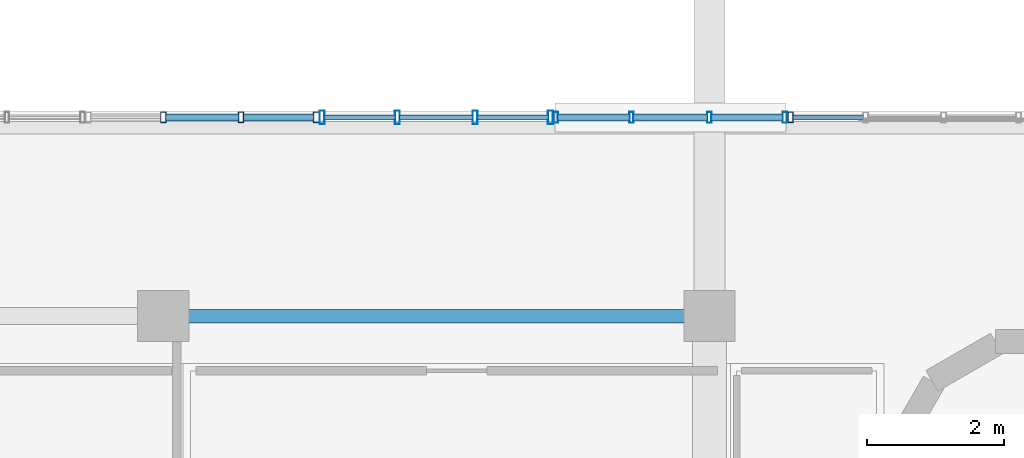
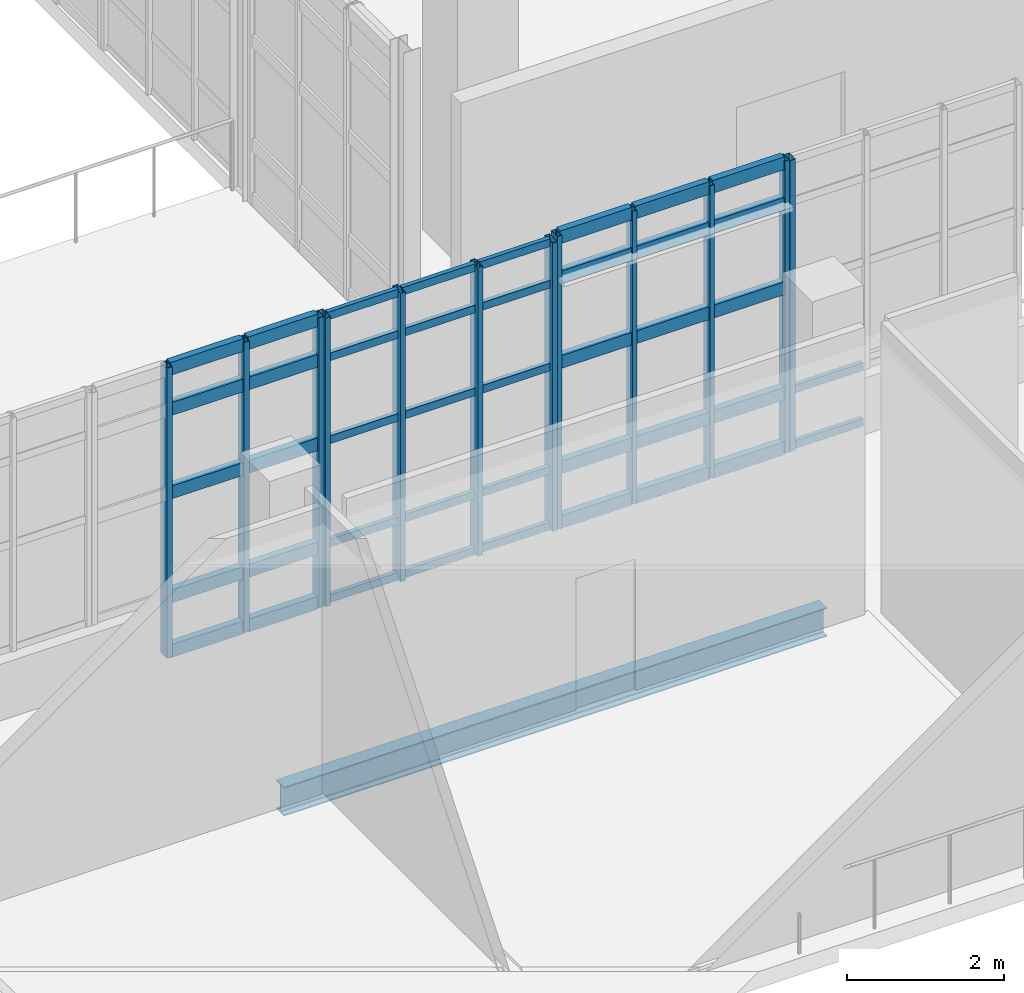
# One storey, part 25 of 100: 54 members, 1 beam, 4 elements without a shape of their own.
"""IFC4 building model written with IfcOpenShell, lengths in metres."""

from ifc_helpers import new_model, si_unit, derived_unit, direction, frame, origin, origin_2d, place, context, subcontext, project, spatial, hollow_rectangle, i_section, extrude, material, layer, layer_set, material_profile, profile_set, type_object, element, aggregate, save


model = new_model("IFC4")

# Units and contexts
model_context = context("Model", 3, precision=1e-05, world=origin(), true_north=direction((0.0, 1.0)))
body_context = subcontext(model_context, "Body", "Model", "MODEL_VIEW")
ifc_project = project(units=[si_unit("LENGTHUNIT", "METRE"), si_unit("AREAUNIT", "SQUARE_METRE"), si_unit("VOLUMEUNIT", "CUBIC_METRE"), si_unit("PLANEANGLEUNIT", "RADIAN"), si_unit("MASSUNIT", "GRAM", prefix="KILO"), derived_unit("THERMALTRANSMITTANCEUNIT", [(si_unit("POWERUNIT", "WATT"), 1), (si_unit("LENGTHUNIT", "METRE"), -2), (si_unit("THERMODYNAMICTEMPERATUREUNIT", "KELVIN"), -1)])], contexts=[model_context])

# Site, building, storey
site_placement = place(None, origin())
site = spatial("IfcSite", under=ifc_project, at=site_placement, CompositionType="ELEMENT")
building_placement = place(site_placement, origin())
building = spatial("IfcBuilding", under=site, at=building_placement, Name="Nallur Shell Playhouse", CompositionType="ELEMENT")
storey_placement = place(building_placement, frame((0.0, 0.0, 10.199951171875)))
storey = spatial("IfcBuildingStorey", under=building, at=storey_placement, Name="L03", CompositionType="ELEMENT", Elevation=10.199951171875)

# Beam
ifc_material_1 = material(Name="Steel E350", Category="steel")
ifc_material_profile_1 = material_profile(ifc_material_1, i_section(OverallWidth=0.199951171875, OverallDepth=0.449951171875, WebThickness=0.00927734375, FlangeThickness=0.015380859375, FilletRadius=0.013916015625, at=origin_2d()), Name="ISWB 450")
ifc_profile_set_1 = profile_set([ifc_material_profile_1], Name="Steel E350")
beam_type = type_object("IfcBeamType", Name="BM-ST-ISWB450", PredefinedType="BEAM", material=ifc_profile_set_1)
beam_placement = place(storey_placement, frame((48.0, 41.0, -0.48486328125), z_axis=(1.0, 0.0, 0.0), x_axis=(0.0, 1.0, 0.0)))
element("IfcBeam", 1, at=beam_placement, inside=storey, type_object=beam_type, Name="L03 girder X-E-596", PredefinedType="BEAM", context=body_context, shape_type="SweptSolid", body=[
    extrude(i_section(OverallWidth=0.199951171875, OverallDepth=0.449951171875, WebThickness=0.00927734375, FlangeThickness=0.015380859375, FilletRadius=0.013916015625, at=origin_2d()), origin(), (0.0, 0.0, 1.0), 8.0),
])

# Curtain wall, members
ifc_material_2 = material(Name="Anodised Aluminium Double-Glazed Facade System", Category="aluminium")
ifc_layer_1 = layer(ifc_material_2, 0.159912109375)
ifc_layer_set_1 = layer_set([ifc_layer_1], Name="Anodised Aluminium Double-Glazed Facade System")
curtain_wall_type_1 = type_object("IfcCurtainWallType", Name="CW-UNIT-30", PredefinedType="NOTDEFINED", material=ifc_layer_set_1)
curtain_wall_1_placement = place(storey_placement, origin())
curtain_wall_1 = element("IfcCurtainWall", 2, at=curtain_wall_1_placement, inside=storey, type_object=curtain_wall_type_1, Name="Unitised curtain wall CW-062 (L03)", PredefinedType="NOTDEFINED")
ifc_material_3 = material(Name="Aluminium Alloy 6063-T6 Mullion", Category="aluminium")
ifc_material_profile_2 = material_profile(ifc_material_3, hollow_rectangle(XDim=0.080078125, YDim=0.159912109375, WallThickness=0.006103515625, at=origin_2d()), Name="RHS 160x80x6")
ifc_profile_set_2 = profile_set([ifc_material_profile_2], Name="Aluminium Alloy 6063-T6 Mullion")
member_type_1 = type_object("IfcMemberType", Name="MB-CW-MUL150", PredefinedType="MULLION", material=ifc_profile_set_2)
member_1_placement = place(storey_placement, frame((48.001708984375, 43.909912109375, -0.014892578125), z_axis=(0.0, 0.0, 1.0), x_axis=(1.0, 0.0, 0.0)))
member_1 = element("IfcMember", 3, at=member_1_placement, type_object=member_type_1, Name="CW-30 mullion 2", PredefinedType="MULLION", context=body_context, shape_type="SweptSolid", body=[
    extrude(hollow_rectangle(XDim=0.080078125, YDim=0.159912109375, WallThickness=0.006103515625, at=origin_2d()), origin(), (0.0, 0.0, 1.0), 4.51904296875),
])
member_2_placement = place(storey_placement, frame((49.14111328125, 43.909912109375, -0.014892578125), z_axis=(0.0, 0.0, 1.0), x_axis=(1.0, 0.0, 0.0)))
member_2 = element("IfcMember", 4, at=member_2_placement, type_object=member_type_1, Name="CW-30 mullion 3", PredefinedType="MULLION", context=body_context, shape_type="SweptSolid", body=[
    extrude(hollow_rectangle(XDim=0.080078125, YDim=0.159912109375, WallThickness=0.006103515625, at=origin_2d()), origin(), (0.0, 0.0, 1.0), 4.51904296875),
])
member_3_placement = place(storey_placement, frame((50.24072265625, 43.909912109375, -0.014892578125), z_axis=(0.0, 0.0, 1.0), x_axis=(1.0, 0.0, 0.0)))
member_3 = element("IfcMember", 5, at=member_3_placement, type_object=member_type_1, Name="CW-30 mullion 4", PredefinedType="MULLION", context=body_context, shape_type="SweptSolid", body=[
    extrude(hollow_rectangle(XDim=0.080078125, YDim=0.159912109375, WallThickness=0.006103515625, at=origin_2d()), origin(), (0.0, 0.0, 1.0), 4.51904296875),
])

# Curtain wall, member
ifc_layer_2 = layer(ifc_material_2, 0.1640625)
ifc_layer_set_2 = layer_set([ifc_layer_2], Name="Anodised Aluminium Double-Glazed Facade System")
curtain_wall_type_2 = type_object("IfcCurtainWallType", Name="CW-UNIT-01", PredefinedType="NOTDEFINED", material=ifc_layer_set_2)
curtain_wall_2_placement = place(storey_placement, origin())
curtain_wall_2 = element("IfcCurtainWall", 6, at=curtain_wall_2_placement, inside=storey, type_object=curtain_wall_type_2, Name="Unitised curtain wall CW-065 (L03)", PredefinedType="NOTDEFINED")
member_4_placement = place(storey_placement, frame((57.18798828125, 43.909912109375, -0.014892578125), z_axis=(0.0, 0.0, 1.0), x_axis=(1.0, 0.0, 0.0)))
member_4 = element("IfcMember", 7, at=member_4_placement, type_object=member_type_1, Name="CW-01 mullion 1", PredefinedType="MULLION", context=body_context, shape_type="SweptSolid", body=[
    extrude(hollow_rectangle(XDim=0.080078125, YDim=0.159912109375, WallThickness=0.006103515625, at=origin_2d()), origin(), (0.0, 0.0, 1.0), 4.5390625),
])

# Curtain wall, members
ifc_layer_3 = layer(ifc_material_2, 0.16796875)
ifc_layer_set_3 = layer_set([ifc_layer_3], Name="Anodised Aluminium Double-Glazed Facade System")
curtain_wall_type_3 = type_object("IfcCurtainWallType", Name="CW-UNIT-32", PredefinedType="NOTDEFINED", material=ifc_layer_set_3)
curtain_wall_3_placement = place(storey_placement, origin())
curtain_wall_3 = element("IfcCurtainWall", 8, at=curtain_wall_3_placement, inside=storey, type_object=curtain_wall_type_3, Name="Unitised curtain wall CW-064 (L03)", PredefinedType="NOTDEFINED")
ifc_material_profile_3 = material_profile(ifc_material_3, hollow_rectangle(XDim=0.06494140625, YDim=0.159912109375, WallThickness=0.00390625, at=origin_2d()), Name="ALU 65x160x4")
ifc_profile_set_3 = profile_set([ifc_material_profile_3], Name="Aluminium Alloy 6063-T6 Mullion")
member_type_2 = type_object("IfcMemberType", Name="MB-CW-MUL160", PredefinedType="MULLION", material=ifc_profile_set_3)
member_5_placement = place(storey_placement, frame((53.751708984375, 43.909912109375, -0.014892578125), z_axis=(0.0, 0.0, 1.0), x_axis=(1.0, 0.0, 0.0)))
member_5 = element("IfcMember", 9, at=member_5_placement, type_object=member_type_2, Name="CW-32 mullion 1", PredefinedType="MULLION", context=body_context, shape_type="SweptSolid", body=[
    extrude(hollow_rectangle(XDim=0.06494140625, YDim=0.159912109375, WallThickness=0.00390625, at=origin_2d()), origin(), (0.0, 0.0, 1.0), 4.558837890625),
])
member_6_placement = place(storey_placement, frame((54.85888671875, 43.909912109375, -0.014892578125), z_axis=(0.0, 0.0, 1.0), x_axis=(1.0, 0.0, 0.0)))
member_6 = element("IfcMember", 10, at=member_6_placement, type_object=member_type_2, Name="CW-32 mullion 2", PredefinedType="MULLION", context=body_context, shape_type="SweptSolid", body=[
    extrude(hollow_rectangle(XDim=0.06494140625, YDim=0.159912109375, WallThickness=0.00390625, at=origin_2d()), origin(), (0.0, 0.0, 1.0), 4.558837890625),
])
member_7_placement = place(storey_placement, frame((55.998291015625, 43.909912109375, -0.014892578125), z_axis=(0.0, 0.0, 1.0), x_axis=(1.0, 0.0, 0.0)))
member_7 = element("IfcMember", 11, at=member_7_placement, type_object=member_type_2, Name="CW-32 mullion 3", PredefinedType="MULLION", context=body_context, shape_type="SweptSolid", body=[
    extrude(hollow_rectangle(XDim=0.06494140625, YDim=0.159912109375, WallThickness=0.00390625, at=origin_2d()), origin(), (0.0, 0.0, 1.0), 4.558837890625),
])
member_8_placement = place(storey_placement, frame((57.10546875, 43.909912109375, -0.014892578125), z_axis=(0.0, 0.0, 1.0), x_axis=(1.0, 0.0, 0.0)))
member_8 = element("IfcMember", 12, at=member_8_placement, type_object=member_type_2, Name="CW-32 mullion 4", PredefinedType="MULLION", context=body_context, shape_type="SweptSolid", body=[
    extrude(hollow_rectangle(XDim=0.06494140625, YDim=0.159912109375, WallThickness=0.00390625, at=origin_2d()), origin(), (0.0, 0.0, 1.0), 4.558837890625),
])

ifc_layer_4 = layer(ifc_material_2, 0.1640625)
ifc_layer_set_4 = layer_set([ifc_layer_4], Name="Anodised Aluminium Double-Glazed Facade System")
curtain_wall_type_4 = type_object("IfcCurtainWallType", Name="CW-UNIT-31", PredefinedType="NOTDEFINED", material=ifc_layer_set_4)
curtain_wall_4_placement = place(storey_placement, origin())
curtain_wall_4 = element("IfcCurtainWall", 13, at=curtain_wall_4_placement, inside=storey, type_object=curtain_wall_type_4, Name="Unitised curtain wall CW-063 (L03)", PredefinedType="NOTDEFINED")
ifc_material_profile_4 = material_profile(ifc_material_3, hollow_rectangle(XDim=0.074951171875, YDim=0.199951171875, WallThickness=0.0048828125, at=origin_2d()), Name="ALU 75x200x5")
ifc_profile_set_4 = profile_set([ifc_material_profile_4], Name="Aluminium Alloy 6063-T6 Mullion")
member_type_3 = type_object("IfcMemberType", Name="MB-CW-MUL180", PredefinedType="MULLION", material=ifc_profile_set_4)
member_9_placement = place(storey_placement, frame((50.328125, 43.909912109375, -0.014892578125), z_axis=(0.0, 0.0, 1.0), x_axis=(1.0, 0.0, 0.0)))
member_9 = element("IfcMember", 14, at=member_9_placement, type_object=member_type_3, Name="CW-31 mullion 1", PredefinedType="MULLION", context=body_context, shape_type="SweptSolid", body=[
    extrude(hollow_rectangle(XDim=0.074951171875, YDim=0.199951171875, WallThickness=0.0048828125, at=origin_2d()), origin(), (0.0, 0.0, 1.0), 4.4990234375),
])
member_10_placement = place(storey_placement, frame((51.43017578125, 43.909912109375, -0.014892578125), z_axis=(0.0, 0.0, 1.0), x_axis=(1.0, 0.0, 0.0)))
member_10 = element("IfcMember", 15, at=member_10_placement, type_object=member_type_3, Name="CW-31 mullion 2", PredefinedType="MULLION", context=body_context, shape_type="SweptSolid", body=[
    extrude(hollow_rectangle(XDim=0.074951171875, YDim=0.199951171875, WallThickness=0.0048828125, at=origin_2d()), origin(), (0.0, 0.0, 1.0), 4.4990234375),
])
member_11_placement = place(storey_placement, frame((52.56982421875, 43.909912109375, -0.014892578125), z_axis=(0.0, 0.0, 1.0), x_axis=(1.0, 0.0, 0.0)))
member_11 = element("IfcMember", 16, at=member_11_placement, type_object=member_type_3, Name="CW-31 mullion 3", PredefinedType="MULLION", context=body_context, shape_type="SweptSolid", body=[
    extrude(hollow_rectangle(XDim=0.074951171875, YDim=0.199951171875, WallThickness=0.0048828125, at=origin_2d()), origin(), (0.0, 0.0, 1.0), 4.4990234375),
])
member_12_placement = place(storey_placement, frame((53.671875, 43.909912109375, -0.014892578125), z_axis=(0.0, 0.0, 1.0), x_axis=(1.0, 0.0, 0.0)))
member_12 = element("IfcMember", 17, at=member_12_placement, type_object=member_type_3, Name="CW-31 mullion 4", PredefinedType="MULLION", context=body_context, shape_type="SweptSolid", body=[
    extrude(hollow_rectangle(XDim=0.074951171875, YDim=0.199951171875, WallThickness=0.0048828125, at=origin_2d()), origin(), (0.0, 0.0, 1.0), 4.4990234375),
])
ifc_material_4 = material(Name="Aluminium Alloy 6063-T6 Transom", Category="aluminium")
ifc_material_profile_5 = material_profile(ifc_material_4, hollow_rectangle(XDim=0.06494140625, YDim=0.1201171875, WallThickness=0.00390625, at=origin_2d()), Name="ALU 65x120x4")
ifc_profile_set_5 = profile_set([ifc_material_profile_5], Name="Aluminium Alloy 6063-T6 Transom")
member_type_4 = type_object("IfcMemberType", Name="MB-CW-TRN120", PredefinedType="USERDEFINED", material=ifc_profile_set_5)
member_13_placement = place(storey_placement, frame((50.357666015625, 43.909912109375, 0.032470703125), z_axis=(1.0, 0.0, 0.0), x_axis=(0.0, 1.0, 0.0)))
member_13 = element("IfcMember", 18, at=member_13_placement, type_object=member_type_4, Name="CW-31 transom 1.1", ObjectType="TRANSOM", PredefinedType="USERDEFINED", context=body_context, shape_type="SweptSolid", body=[
    extrude(hollow_rectangle(XDim=0.06494140625, YDim=0.1201171875, WallThickness=0.00390625, at=origin_2d()), origin(), (0.0, 0.0, 1.0), 1.04296875),
])
member_14_placement = place(storey_placement, frame((50.357666015625, 43.909912109375, 0.900146484375), z_axis=(1.0, 0.0, 0.0), x_axis=(0.0, 1.0, 0.0)))
member_14 = element("IfcMember", 19, at=member_14_placement, type_object=member_type_4, Name="CW-31 transom 1.2", ObjectType="TRANSOM", PredefinedType="USERDEFINED", context=body_context, shape_type="SweptSolid", body=[
    extrude(hollow_rectangle(XDim=0.06494140625, YDim=0.1201171875, WallThickness=0.00390625, at=origin_2d()), origin(), (0.0, 0.0, 1.0), 1.04296875),
])
member_15_placement = place(storey_placement, frame((50.357666015625, 43.909912109375, 2.509033203125), z_axis=(1.0, 0.0, 0.0), x_axis=(0.0, 1.0, 0.0)))
member_15 = element("IfcMember", 20, at=member_15_placement, type_object=member_type_4, Name="CW-31 transom 1.3", ObjectType="TRANSOM", PredefinedType="USERDEFINED", context=body_context, shape_type="SweptSolid", body=[
    extrude(hollow_rectangle(XDim=0.06494140625, YDim=0.1201171875, WallThickness=0.00390625, at=origin_2d()), origin(), (0.0, 0.0, 1.0), 1.04296875),
])
member_16_placement = place(storey_placement, frame((50.357666015625, 43.909912109375, 3.800048828125), z_axis=(1.0, 0.0, 0.0), x_axis=(0.0, 1.0, 0.0)))
member_16 = element("IfcMember", 21, at=member_16_placement, type_object=member_type_4, Name="CW-31 transom 1.4", ObjectType="TRANSOM", PredefinedType="USERDEFINED", context=body_context, shape_type="SweptSolid", body=[
    extrude(hollow_rectangle(XDim=0.06494140625, YDim=0.1201171875, WallThickness=0.00390625, at=origin_2d()), origin(), (0.0, 0.0, 1.0), 1.04296875),
])
member_17_placement = place(storey_placement, frame((50.357666015625, 43.909912109375, 4.447509765625), z_axis=(1.0, 0.0, 0.0), x_axis=(0.0, 1.0, 0.0)))
member_17 = element("IfcMember", 22, at=member_17_placement, type_object=member_type_4, Name="CW-31 transom 1.5", ObjectType="TRANSOM", PredefinedType="USERDEFINED", context=body_context, shape_type="SweptSolid", body=[
    extrude(hollow_rectangle(XDim=0.06494140625, YDim=0.1201171875, WallThickness=0.00390625, at=origin_2d()), origin(), (0.0, 0.0, 1.0), 1.04296875),
])
member_18_placement = place(storey_placement, frame((51.459716796875, 43.909912109375, 0.032470703125), z_axis=(1.0, 0.0, 0.0), x_axis=(0.0, 1.0, 0.0)))
member_18 = element("IfcMember", 23, at=member_18_placement, type_object=member_type_4, Name="CW-31 transom 2.1", ObjectType="TRANSOM", PredefinedType="USERDEFINED", context=body_context, shape_type="SweptSolid", body=[
    extrude(hollow_rectangle(XDim=0.06494140625, YDim=0.1201171875, WallThickness=0.00390625, at=origin_2d()), origin(), (0.0, 0.0, 1.0), 1.08056640625),
])
member_19_placement = place(storey_placement, frame((51.459716796875, 43.909912109375, 0.900146484375), z_axis=(1.0, 0.0, 0.0), x_axis=(0.0, 1.0, 0.0)))
member_19 = element("IfcMember", 24, at=member_19_placement, type_object=member_type_4, Name="CW-31 transom 2.2", ObjectType="TRANSOM", PredefinedType="USERDEFINED", context=body_context, shape_type="SweptSolid", body=[
    extrude(hollow_rectangle(XDim=0.06494140625, YDim=0.1201171875, WallThickness=0.00390625, at=origin_2d()), origin(), (0.0, 0.0, 1.0), 1.08056640625),
])
member_20_placement = place(storey_placement, frame((51.459716796875, 43.909912109375, 2.509033203125), z_axis=(1.0, 0.0, 0.0), x_axis=(0.0, 1.0, 0.0)))
member_20 = element("IfcMember", 25, at=member_20_placement, type_object=member_type_4, Name="CW-31 transom 2.3", ObjectType="TRANSOM", PredefinedType="USERDEFINED", context=body_context, shape_type="SweptSolid", body=[
    extrude(hollow_rectangle(XDim=0.06494140625, YDim=0.1201171875, WallThickness=0.00390625, at=origin_2d()), origin(), (0.0, 0.0, 1.0), 1.08056640625),
])
member_21_placement = place(storey_placement, frame((51.459716796875, 43.909912109375, 3.800048828125), z_axis=(1.0, 0.0, 0.0), x_axis=(0.0, 1.0, 0.0)))
member_21 = element("IfcMember", 26, at=member_21_placement, type_object=member_type_4, Name="CW-31 transom 2.4", ObjectType="TRANSOM", PredefinedType="USERDEFINED", context=body_context, shape_type="SweptSolid", body=[
    extrude(hollow_rectangle(XDim=0.06494140625, YDim=0.1201171875, WallThickness=0.00390625, at=origin_2d()), origin(), (0.0, 0.0, 1.0), 1.08056640625),
])
member_22_placement = place(storey_placement, frame((51.459716796875, 43.909912109375, 4.447509765625), z_axis=(1.0, 0.0, 0.0), x_axis=(0.0, 1.0, 0.0)))
member_22 = element("IfcMember", 27, at=member_22_placement, type_object=member_type_4, Name="CW-31 transom 2.5", ObjectType="TRANSOM", PredefinedType="USERDEFINED", context=body_context, shape_type="SweptSolid", body=[
    extrude(hollow_rectangle(XDim=0.06494140625, YDim=0.1201171875, WallThickness=0.00390625, at=origin_2d()), origin(), (0.0, 0.0, 1.0), 1.08056640625),
])
member_23_placement = place(storey_placement, frame((52.599365234375, 43.909912109375, 0.032470703125), z_axis=(1.0, 0.0, 0.0), x_axis=(0.0, 1.0, 0.0)))
member_23 = element("IfcMember", 28, at=member_23_placement, type_object=member_type_4, Name="CW-31 transom 3.1", ObjectType="TRANSOM", PredefinedType="USERDEFINED", context=body_context, shape_type="SweptSolid", body=[
    extrude(hollow_rectangle(XDim=0.06494140625, YDim=0.1201171875, WallThickness=0.00390625, at=origin_2d()), origin(), (0.0, 0.0, 1.0), 1.04296875),
])
member_24_placement = place(storey_placement, frame((52.599365234375, 43.909912109375, 0.900146484375), z_axis=(1.0, 0.0, 0.0), x_axis=(0.0, 1.0, 0.0)))
member_24 = element("IfcMember", 29, at=member_24_placement, type_object=member_type_4, Name="CW-31 transom 3.2", ObjectType="TRANSOM", PredefinedType="USERDEFINED", context=body_context, shape_type="SweptSolid", body=[
    extrude(hollow_rectangle(XDim=0.06494140625, YDim=0.1201171875, WallThickness=0.00390625, at=origin_2d()), origin(), (0.0, 0.0, 1.0), 1.04296875),
])
member_25_placement = place(storey_placement, frame((52.599365234375, 43.909912109375, 2.509033203125), z_axis=(1.0, 0.0, 0.0), x_axis=(0.0, 1.0, 0.0)))
member_25 = element("IfcMember", 30, at=member_25_placement, type_object=member_type_4, Name="CW-31 transom 3.3", ObjectType="TRANSOM", PredefinedType="USERDEFINED", context=body_context, shape_type="SweptSolid", body=[
    extrude(hollow_rectangle(XDim=0.06494140625, YDim=0.1201171875, WallThickness=0.00390625, at=origin_2d()), origin(), (0.0, 0.0, 1.0), 1.04296875),
])
member_26_placement = place(storey_placement, frame((52.599365234375, 43.909912109375, 3.800048828125), z_axis=(1.0, 0.0, 0.0), x_axis=(0.0, 1.0, 0.0)))
member_26 = element("IfcMember", 31, at=member_26_placement, type_object=member_type_4, Name="CW-31 transom 3.4", ObjectType="TRANSOM", PredefinedType="USERDEFINED", context=body_context, shape_type="SweptSolid", body=[
    extrude(hollow_rectangle(XDim=0.06494140625, YDim=0.1201171875, WallThickness=0.00390625, at=origin_2d()), origin(), (0.0, 0.0, 1.0), 1.04296875),
])
member_27_placement = place(storey_placement, frame((52.599365234375, 43.909912109375, 4.447509765625), z_axis=(1.0, 0.0, 0.0), x_axis=(0.0, 1.0, 0.0)))
member_27 = element("IfcMember", 32, at=member_27_placement, type_object=member_type_4, Name="CW-31 transom 3.5", ObjectType="TRANSOM", PredefinedType="USERDEFINED", context=body_context, shape_type="SweptSolid", body=[
    extrude(hollow_rectangle(XDim=0.06494140625, YDim=0.1201171875, WallThickness=0.00390625, at=origin_2d()), origin(), (0.0, 0.0, 1.0), 1.04296875),
])
aggregate(curtain_wall_4, [member_9, member_10, member_11, member_12, member_13, member_14, member_15, member_16, member_17, member_18, member_19, member_20, member_21, member_22, member_23, member_24, member_25, member_26, member_27])

# Member
member_28_placement = place(storey_placement, frame((57.219970703125, 43.909912109375, 0.032470703125), z_axis=(1.0, 0.0, 0.0), x_axis=(0.0, 1.0, 0.0)))
member_28 = element("IfcMember", 33, at=member_28_placement, type_object=member_type_4, Name="CW-01 transom 1.1", ObjectType="TRANSOM", PredefinedType="USERDEFINED", context=body_context, shape_type="SweptSolid", body=[
    extrude(hollow_rectangle(XDim=0.06494140625, YDim=0.1201171875, WallThickness=0.00390625, at=origin_2d()), origin(), (0.0, 0.0, 1.0), 1.035400390625),
])

member_29_placement = place(storey_placement, frame((57.219970703125, 43.909912109375, 0.900146484375), z_axis=(1.0, 0.0, 0.0), x_axis=(0.0, 1.0, 0.0)))
member_29 = element("IfcMember", 34, at=member_29_placement, type_object=member_type_4, Name="CW-01 transom 1.2", ObjectType="TRANSOM", PredefinedType="USERDEFINED", context=body_context, shape_type="SweptSolid", body=[
    extrude(hollow_rectangle(XDim=0.06494140625, YDim=0.1201171875, WallThickness=0.00390625, at=origin_2d()), origin(), (0.0, 0.0, 1.0), 1.035400390625),
])

aggregate(curtain_wall_2, [member_4, member_28, member_29])

ifc_material_profile_6 = material_profile(ifc_material_4, hollow_rectangle(XDim=0.10009765625, YDim=0.199951171875, WallThickness=0.008056640625, at=origin_2d()), Name="RHS 200x100x8")
ifc_profile_set_6 = profile_set([ifc_material_profile_6], Name="Aluminium Alloy 6063-T6 Transom")
member_type_5 = type_object("IfcMemberType", Name="MB-CW-TRN140", PredefinedType="USERDEFINED", material=ifc_profile_set_6)
member_30_placement = place(storey_placement, frame((48.03369140625, 43.909912109375, 0.050048828125), z_axis=(1.0, 0.0, 0.0), x_axis=(0.0, 1.0, 0.0)))
member_30 = element("IfcMember", 35, at=member_30_placement, type_object=member_type_5, Name="CW-30 transom 2.1", ObjectType="TRANSOM", PredefinedType="USERDEFINED", context=body_context, shape_type="SweptSolid", body=[
    extrude(hollow_rectangle(XDim=0.10009765625, YDim=0.199951171875, WallThickness=0.008056640625, at=origin_2d()), origin(), (0.0, 0.0, 1.0), 1.075439453125),
])

member_31_placement = place(storey_placement, frame((48.03369140625, 43.909912109375, 0.900146484375), z_axis=(1.0, 0.0, 0.0), x_axis=(0.0, 1.0, 0.0)))
member_31 = element("IfcMember", 36, at=member_31_placement, type_object=member_type_5, Name="CW-30 transom 2.2", ObjectType="TRANSOM", PredefinedType="USERDEFINED", context=body_context, shape_type="SweptSolid", body=[
    extrude(hollow_rectangle(XDim=0.10009765625, YDim=0.199951171875, WallThickness=0.008056640625, at=origin_2d()), origin(), (0.0, 0.0, 1.0), 1.075439453125),
])

member_32_placement = place(storey_placement, frame((48.03369140625, 43.909912109375, 2.52001953125), z_axis=(1.0, 0.0, 0.0), x_axis=(0.0, 1.0, 0.0)))
member_32 = element("IfcMember", 37, at=member_32_placement, type_object=member_type_5, Name="CW-30 transom 2.3", ObjectType="TRANSOM", PredefinedType="USERDEFINED", context=body_context, shape_type="SweptSolid", body=[
    extrude(hollow_rectangle(XDim=0.10009765625, YDim=0.199951171875, WallThickness=0.008056640625, at=origin_2d()), origin(), (0.0, 0.0, 1.0), 1.075439453125),
])

member_33_placement = place(storey_placement, frame((48.03369140625, 43.909912109375, 3.820068359375), z_axis=(1.0, 0.0, 0.0), x_axis=(0.0, 1.0, 0.0)))
member_33 = element("IfcMember", 38, at=member_33_placement, type_object=member_type_5, Name="CW-30 transom 2.4", ObjectType="TRANSOM", PredefinedType="USERDEFINED", context=body_context, shape_type="SweptSolid", body=[
    extrude(hollow_rectangle(XDim=0.10009765625, YDim=0.199951171875, WallThickness=0.008056640625, at=origin_2d()), origin(), (0.0, 0.0, 1.0), 1.075439453125),
])

member_34_placement = place(storey_placement, frame((48.03369140625, 43.909912109375, 4.449951171875), z_axis=(1.0, 0.0, 0.0), x_axis=(0.0, 1.0, 0.0)))
member_34 = element("IfcMember", 39, at=member_34_placement, type_object=member_type_5, Name="CW-30 transom 2.5", ObjectType="TRANSOM", PredefinedType="USERDEFINED", context=body_context, shape_type="SweptSolid", body=[
    extrude(hollow_rectangle(XDim=0.10009765625, YDim=0.199951171875, WallThickness=0.008056640625, at=origin_2d()), origin(), (0.0, 0.0, 1.0), 1.075439453125),
])

member_35_placement = place(storey_placement, frame((49.173095703125, 43.909912109375, 0.050048828125), z_axis=(1.0, 0.0, 0.0), x_axis=(0.0, 1.0, 0.0)))
member_35 = element("IfcMember", 40, at=member_35_placement, type_object=member_type_5, Name="CW-30 transom 3.1", ObjectType="TRANSOM", PredefinedType="USERDEFINED", context=body_context, shape_type="SweptSolid", body=[
    extrude(hollow_rectangle(XDim=0.10009765625, YDim=0.199951171875, WallThickness=0.008056640625, at=origin_2d()), origin(), (0.0, 0.0, 1.0), 1.03564453125),
])

member_36_placement = place(storey_placement, frame((49.173095703125, 43.909912109375, 0.900146484375), z_axis=(1.0, 0.0, 0.0), x_axis=(0.0, 1.0, 0.0)))
member_36 = element("IfcMember", 41, at=member_36_placement, type_object=member_type_5, Name="CW-30 transom 3.2", ObjectType="TRANSOM", PredefinedType="USERDEFINED", context=body_context, shape_type="SweptSolid", body=[
    extrude(hollow_rectangle(XDim=0.10009765625, YDim=0.199951171875, WallThickness=0.008056640625, at=origin_2d()), origin(), (0.0, 0.0, 1.0), 1.03564453125),
])

member_37_placement = place(storey_placement, frame((49.173095703125, 43.909912109375, 2.52001953125), z_axis=(1.0, 0.0, 0.0), x_axis=(0.0, 1.0, 0.0)))
member_37 = element("IfcMember", 42, at=member_37_placement, type_object=member_type_5, Name="CW-30 transom 3.3", ObjectType="TRANSOM", PredefinedType="USERDEFINED", context=body_context, shape_type="SweptSolid", body=[
    extrude(hollow_rectangle(XDim=0.10009765625, YDim=0.199951171875, WallThickness=0.008056640625, at=origin_2d()), origin(), (0.0, 0.0, 1.0), 1.03564453125),
])

member_38_placement = place(storey_placement, frame((49.173095703125, 43.909912109375, 3.820068359375), z_axis=(1.0, 0.0, 0.0), x_axis=(0.0, 1.0, 0.0)))
member_38 = element("IfcMember", 43, at=member_38_placement, type_object=member_type_5, Name="CW-30 transom 3.4", ObjectType="TRANSOM", PredefinedType="USERDEFINED", context=body_context, shape_type="SweptSolid", body=[
    extrude(hollow_rectangle(XDim=0.10009765625, YDim=0.199951171875, WallThickness=0.008056640625, at=origin_2d()), origin(), (0.0, 0.0, 1.0), 1.03564453125),
])

member_39_placement = place(storey_placement, frame((49.173095703125, 43.909912109375, 4.449951171875), z_axis=(1.0, 0.0, 0.0), x_axis=(0.0, 1.0, 0.0)))
member_39 = element("IfcMember", 44, at=member_39_placement, type_object=member_type_5, Name="CW-30 transom 3.5", ObjectType="TRANSOM", PredefinedType="USERDEFINED", context=body_context, shape_type="SweptSolid", body=[
    extrude(hollow_rectangle(XDim=0.10009765625, YDim=0.199951171875, WallThickness=0.008056640625, at=origin_2d()), origin(), (0.0, 0.0, 1.0), 1.03564453125),
])

aggregate(curtain_wall_1, [member_1, member_2, member_3, member_30, member_31, member_32, member_33, member_34, member_35, member_36, member_37, member_38, member_39])

member_40_placement = place(storey_placement, frame((53.7763671875, 43.909912109375, 0.050048828125), z_axis=(1.0, 0.0, 0.0), x_axis=(0.0, 1.0, 0.0)))
member_40 = element("IfcMember", 45, at=member_40_placement, type_object=member_type_5, Name="CW-32 transom 1.1", ObjectType="TRANSOM", PredefinedType="USERDEFINED", context=body_context, shape_type="SweptSolid", body=[
    extrude(hollow_rectangle(XDim=0.10009765625, YDim=0.199951171875, WallThickness=0.008056640625, at=origin_2d()), origin(), (0.0, 0.0, 1.0), 1.057861328125),
])

member_41_placement = place(storey_placement, frame((53.7763671875, 43.909912109375, 0.900146484375), z_axis=(1.0, 0.0, 0.0), x_axis=(0.0, 1.0, 0.0)))
member_41 = element("IfcMember", 46, at=member_41_placement, type_object=member_type_5, Name="CW-32 transom 1.2", ObjectType="TRANSOM", PredefinedType="USERDEFINED", context=body_context, shape_type="SweptSolid", body=[
    extrude(hollow_rectangle(XDim=0.10009765625, YDim=0.199951171875, WallThickness=0.008056640625, at=origin_2d()), origin(), (0.0, 0.0, 1.0), 1.057861328125),
])

member_42_placement = place(storey_placement, frame((53.7763671875, 43.909912109375, 2.5419921875), z_axis=(1.0, 0.0, 0.0), x_axis=(0.0, 1.0, 0.0)))
member_42 = element("IfcMember", 47, at=member_42_placement, type_object=member_type_5, Name="CW-32 transom 1.3", ObjectType="TRANSOM", PredefinedType="USERDEFINED", context=body_context, shape_type="SweptSolid", body=[
    extrude(hollow_rectangle(XDim=0.10009765625, YDim=0.199951171875, WallThickness=0.008056640625, at=origin_2d()), origin(), (0.0, 0.0, 1.0), 1.057861328125),
])

member_43_placement = place(storey_placement, frame((53.7763671875, 43.909912109375, 3.860107421875), z_axis=(1.0, 0.0, 0.0), x_axis=(0.0, 1.0, 0.0)))
member_43 = element("IfcMember", 48, at=member_43_placement, type_object=member_type_5, Name="CW-32 transom 1.4", ObjectType="TRANSOM", PredefinedType="USERDEFINED", context=body_context, shape_type="SweptSolid", body=[
    extrude(hollow_rectangle(XDim=0.10009765625, YDim=0.199951171875, WallThickness=0.008056640625, at=origin_2d()), origin(), (0.0, 0.0, 1.0), 1.057861328125),
])

member_44_placement = place(storey_placement, frame((53.7763671875, 43.909912109375, 4.489990234375), z_axis=(1.0, 0.0, 0.0), x_axis=(0.0, 1.0, 0.0)))
member_44 = element("IfcMember", 49, at=member_44_placement, type_object=member_type_5, Name="CW-32 transom 1.5", ObjectType="TRANSOM", PredefinedType="USERDEFINED", context=body_context, shape_type="SweptSolid", body=[
    extrude(hollow_rectangle(XDim=0.10009765625, YDim=0.199951171875, WallThickness=0.008056640625, at=origin_2d()), origin(), (0.0, 0.0, 1.0), 1.057861328125),
])

member_45_placement = place(storey_placement, frame((54.88330078125, 43.909912109375, 0.050048828125), z_axis=(1.0, 0.0, 0.0), x_axis=(0.0, 1.0, 0.0)))
member_45 = element("IfcMember", 50, at=member_45_placement, type_object=member_type_5, Name="CW-32 transom 2.1", ObjectType="TRANSOM", PredefinedType="USERDEFINED", context=body_context, shape_type="SweptSolid", body=[
    extrude(hollow_rectangle(XDim=0.10009765625, YDim=0.199951171875, WallThickness=0.008056640625, at=origin_2d()), origin(), (0.0, 0.0, 1.0), 1.090576171875),
])

member_46_placement = place(storey_placement, frame((54.88330078125, 43.909912109375, 0.900146484375), z_axis=(1.0, 0.0, 0.0), x_axis=(0.0, 1.0, 0.0)))
member_46 = element("IfcMember", 51, at=member_46_placement, type_object=member_type_5, Name="CW-32 transom 2.2", ObjectType="TRANSOM", PredefinedType="USERDEFINED", context=body_context, shape_type="SweptSolid", body=[
    extrude(hollow_rectangle(XDim=0.10009765625, YDim=0.199951171875, WallThickness=0.008056640625, at=origin_2d()), origin(), (0.0, 0.0, 1.0), 1.090576171875),
])

member_47_placement = place(storey_placement, frame((54.88330078125, 43.909912109375, 2.5419921875), z_axis=(1.0, 0.0, 0.0), x_axis=(0.0, 1.0, 0.0)))
member_47 = element("IfcMember", 52, at=member_47_placement, type_object=member_type_5, Name="CW-32 transom 2.3", ObjectType="TRANSOM", PredefinedType="USERDEFINED", context=body_context, shape_type="SweptSolid", body=[
    extrude(hollow_rectangle(XDim=0.10009765625, YDim=0.199951171875, WallThickness=0.008056640625, at=origin_2d()), origin(), (0.0, 0.0, 1.0), 1.090576171875),
])

member_48_placement = place(storey_placement, frame((54.88330078125, 43.909912109375, 3.860107421875), z_axis=(1.0, 0.0, 0.0), x_axis=(0.0, 1.0, 0.0)))
member_48 = element("IfcMember", 53, at=member_48_placement, type_object=member_type_5, Name="CW-32 transom 2.4", ObjectType="TRANSOM", PredefinedType="USERDEFINED", context=body_context, shape_type="SweptSolid", body=[
    extrude(hollow_rectangle(XDim=0.10009765625, YDim=0.199951171875, WallThickness=0.008056640625, at=origin_2d()), origin(), (0.0, 0.0, 1.0), 1.090576171875),
])

member_49_placement = place(storey_placement, frame((54.88330078125, 43.909912109375, 4.489990234375), z_axis=(1.0, 0.0, 0.0), x_axis=(0.0, 1.0, 0.0)))
member_49 = element("IfcMember", 54, at=member_49_placement, type_object=member_type_5, Name="CW-32 transom 2.5", ObjectType="TRANSOM", PredefinedType="USERDEFINED", context=body_context, shape_type="SweptSolid", body=[
    extrude(hollow_rectangle(XDim=0.10009765625, YDim=0.199951171875, WallThickness=0.008056640625, at=origin_2d()), origin(), (0.0, 0.0, 1.0), 1.090576171875),
])

member_50_placement = place(storey_placement, frame((56.02294921875, 43.909912109375, 0.050048828125), z_axis=(1.0, 0.0, 0.0), x_axis=(0.0, 1.0, 0.0)))
member_50 = element("IfcMember", 55, at=member_50_placement, type_object=member_type_5, Name="CW-32 transom 3.1", ObjectType="TRANSOM", PredefinedType="USERDEFINED", context=body_context, shape_type="SweptSolid", body=[
    extrude(hollow_rectangle(XDim=0.10009765625, YDim=0.199951171875, WallThickness=0.008056640625, at=origin_2d()), origin(), (0.0, 0.0, 1.0), 1.057861328125),
])

member_51_placement = place(storey_placement, frame((56.02294921875, 43.909912109375, 0.900146484375), z_axis=(1.0, 0.0, 0.0), x_axis=(0.0, 1.0, 0.0)))
member_51 = element("IfcMember", 56, at=member_51_placement, type_object=member_type_5, Name="CW-32 transom 3.2", ObjectType="TRANSOM", PredefinedType="USERDEFINED", context=body_context, shape_type="SweptSolid", body=[
    extrude(hollow_rectangle(XDim=0.10009765625, YDim=0.199951171875, WallThickness=0.008056640625, at=origin_2d()), origin(), (0.0, 0.0, 1.0), 1.057861328125),
])

member_52_placement = place(storey_placement, frame((56.02294921875, 43.909912109375, 2.5419921875), z_axis=(1.0, 0.0, 0.0), x_axis=(0.0, 1.0, 0.0)))
member_52 = element("IfcMember", 57, at=member_52_placement, type_object=member_type_5, Name="CW-32 transom 3.3", ObjectType="TRANSOM", PredefinedType="USERDEFINED", context=body_context, shape_type="SweptSolid", body=[
    extrude(hollow_rectangle(XDim=0.10009765625, YDim=0.199951171875, WallThickness=0.008056640625, at=origin_2d()), origin(), (0.0, 0.0, 1.0), 1.057861328125),
])

member_53_placement = place(storey_placement, frame((56.02294921875, 43.909912109375, 3.860107421875), z_axis=(1.0, 0.0, 0.0), x_axis=(0.0, 1.0, 0.0)))
member_53 = element("IfcMember", 58, at=member_53_placement, type_object=member_type_5, Name="CW-32 transom 3.4", ObjectType="TRANSOM", PredefinedType="USERDEFINED", context=body_context, shape_type="SweptSolid", body=[
    extrude(hollow_rectangle(XDim=0.10009765625, YDim=0.199951171875, WallThickness=0.008056640625, at=origin_2d()), origin(), (0.0, 0.0, 1.0), 1.057861328125),
])

member_54_placement = place(storey_placement, frame((56.02294921875, 43.909912109375, 4.489990234375), z_axis=(1.0, 0.0, 0.0), x_axis=(0.0, 1.0, 0.0)))
member_54 = element("IfcMember", 59, at=member_54_placement, type_object=member_type_5, Name="CW-32 transom 3.5", ObjectType="TRANSOM", PredefinedType="USERDEFINED", context=body_context, shape_type="SweptSolid", body=[
    extrude(hollow_rectangle(XDim=0.10009765625, YDim=0.199951171875, WallThickness=0.008056640625, at=origin_2d()), origin(), (0.0, 0.0, 1.0), 1.057861328125),
])

aggregate(curtain_wall_3, [member_5, member_6, member_7, member_8, member_40, member_41, member_42, member_43, member_44, member_45, member_46, member_47, member_48, member_49, member_50, member_51, member_52, member_53, member_54])

save(model, "model.ifc")
